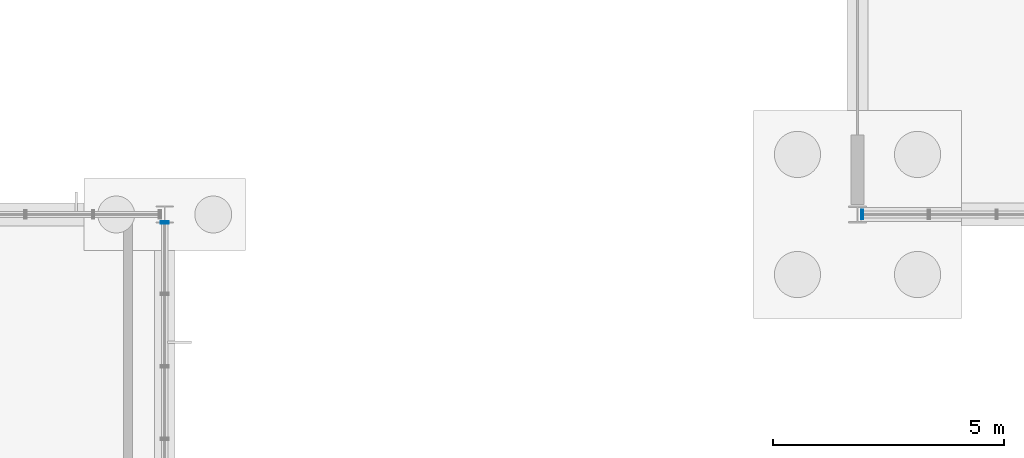
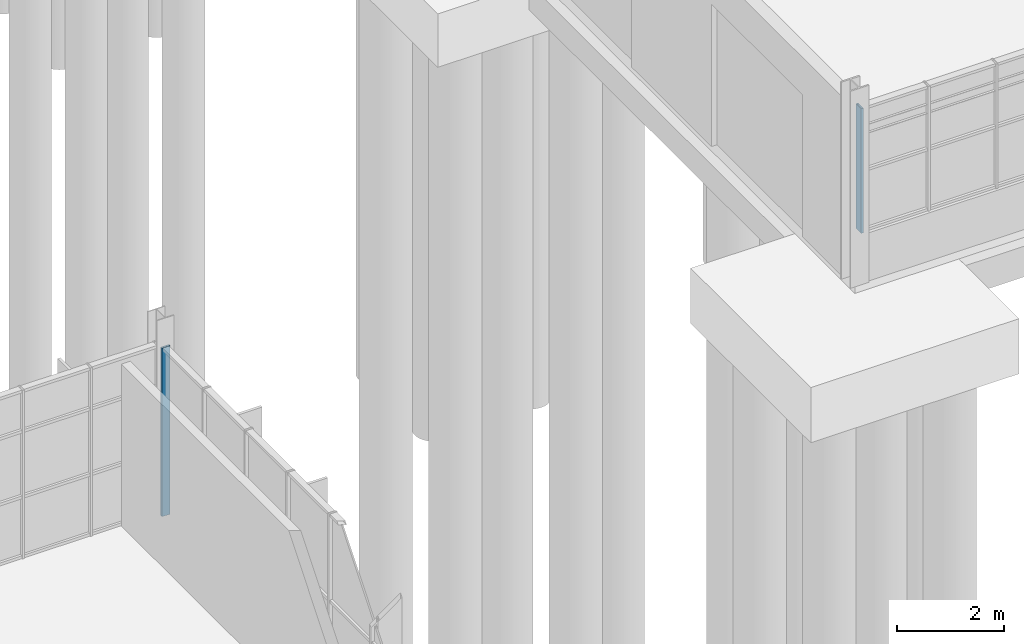
# One storey, part 40 of 136: 2 members, 2 elements without a shape of their own.
"""IFC4 building model written with IfcOpenShell, lengths in metres."""

from ifc_helpers import new_model, si_unit, direction, frame, origin, origin_2d, place, context, subcontext, project, spatial, hollow_rectangle, extrude, material, layer, layer_set, material_profile, profile_set, type_object, element, aggregate, save


model = new_model("IFC4")

# Units and contexts
model_context = context("Model", 3, precision=1e-05, world=origin(), true_north=direction((0.0, 1.0)))
body_context = subcontext(model_context, "Body", "Model", "MODEL_VIEW")
ifc_project = project(units=[si_unit("LENGTHUNIT", "METRE"), si_unit("AREAUNIT", "SQUARE_METRE"), si_unit("VOLUMEUNIT", "CUBIC_METRE"), si_unit("PLANEANGLEUNIT", "RADIAN"), si_unit("MASSUNIT", "GRAM", prefix="KILO")], contexts=[model_context])

# Site, building, storey
site_placement = place(None, origin())
site = spatial("IfcSite", under=ifc_project, at=site_placement, CompositionType="ELEMENT")
building_placement = place(site_placement, origin())
building = spatial("IfcBuilding", under=site, at=building_placement, Name="Solvenia Promenade Tram Depot", CompositionType="ELEMENT")
storey_placement = place(building_placement, origin())
storey = spatial("IfcBuildingStorey", under=building, at=storey_placement, Name="L00", CompositionType="ELEMENT", Elevation=0.0)

# Curtain wall, member
ifc_material = material(Name="Anodized aluminium AW-6063 T6", Category="aluminium")
ifc_layer_1 = layer(ifc_material, 0.14990234375, Name="Anodized aluminium AW-6063 T6", Category="aluminium")
ifc_layer_set_1 = layer_set([ifc_layer_1], Name="Anodized aluminium AW-6063 T6")
curtain_wall_type_1 = type_object("IfcCurtainWallType", Name="CW-Court-1500", PredefinedType="NOTDEFINED", material=ifc_layer_set_1)
curtain_wall_1_placement = place(storey_placement, origin())
curtain_wall_1 = element("IfcCurtainWall", 1, at=curtain_wall_1_placement, inside=storey, type_object=curtain_wall_type_1, Name="Curtain Wall CW-V4E-L00", PredefinedType="NOTDEFINED")
ifc_material_profile_1 = material_profile(ifc_material, hollow_rectangle(XDim=0.179931640625, YDim=0.050048828125, WallThickness=0.00390625, at=origin_2d()), Name="ALU-M2", Category="aluminium")
ifc_profile_set_1 = profile_set([ifc_material_profile_1], Name="Anodized aluminium AW-6063 T6")
member_type_1 = type_object("IfcMemberType", Name="CWM-Mullion-2", PredefinedType="MULLION", material=ifc_profile_set_1)
member_1_placement = place(storey_placement, frame((90.0, 23.824951171875, 0.0), z_axis=(0.0, 0.0, 1.0), x_axis=(-1.0, 0.0, 0.0)))
member_1 = element("IfcMember", 2, at=member_1_placement, type_object=member_type_1, Name="CW-5 mullion 11", PredefinedType="MULLION", context=body_context, shape_type="SweptSolid", body=[
    extrude(hollow_rectangle(XDim=0.179931640625, YDim=0.050048828125, WallThickness=0.00390625, at=origin_2d()), origin(), (0.0, 0.0, 1.0), 3.85009765625),
])
aggregate(curtain_wall_1, [member_1])

ifc_layer_2 = layer(ifc_material, 0.179931640625, Name="Anodized aluminium AW-6063 T6", Category="aluminium")
ifc_layer_set_2 = layer_set([ifc_layer_2], Name="Anodized aluminium AW-6063 T6")
curtain_wall_type_2 = type_object("IfcCurtainWallType", Name="CW-Solar-1500", PredefinedType="NOTDEFINED", material=ifc_layer_set_2)
curtain_wall_2_placement = place(storey_placement, origin())
curtain_wall_2 = element("IfcCurtainWall", 3, at=curtain_wall_2_placement, inside=storey, type_object=curtain_wall_type_2, Name="Curtain Wall CW-V2S-L0-01", PredefinedType="NOTDEFINED")
ifc_material_profile_2 = material_profile(ifc_material, hollow_rectangle(XDim=0.199951171875, YDim=0.048095703125, WallThickness=0.00390625, at=origin_2d()), Name="ALU-M3", Category="aluminium")
ifc_profile_set_2 = profile_set([ifc_material_profile_2], Name="Anodized aluminium AW-6063 T6")
member_type_2 = type_object("IfcMemberType", Name="CWM-Mullion-3", PredefinedType="MULLION", material=ifc_profile_set_2)
member_2_placement = place(storey_placement, frame((105.10400390625, 24.0, 1.10009765625), z_axis=(0.0, 0.0, 1.0), x_axis=(0.0, 1.0, 0.0)))
member_2 = element("IfcMember", 4, at=member_2_placement, type_object=member_type_2, Name="CW-7 mullion 1", PredefinedType="MULLION", context=body_context, shape_type="SweptSolid", body=[
    extrude(hollow_rectangle(XDim=0.199951171875, YDim=0.048095703125, WallThickness=0.00390625, at=origin_2d()), origin(), (0.0, 0.0, 1.0), 2.849853515625),
])
aggregate(curtain_wall_2, [member_2])

save(model, "model.ifc")
